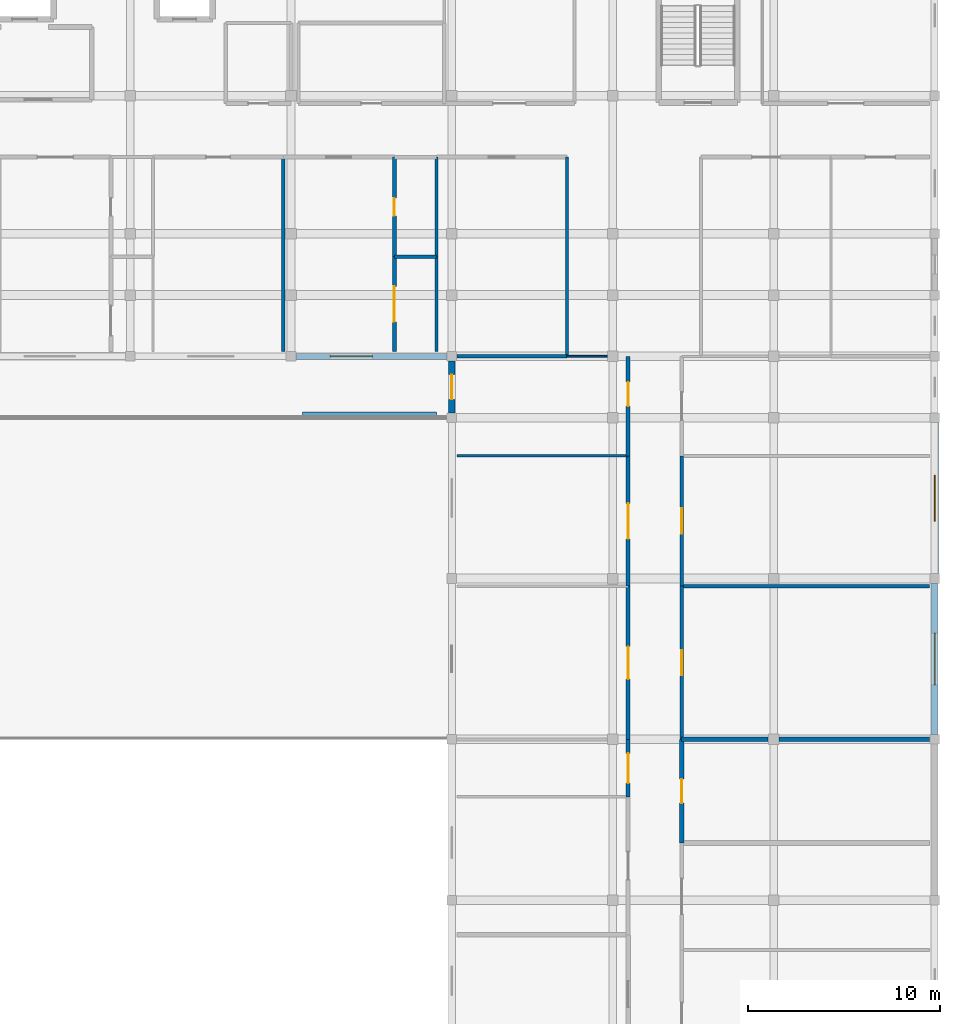
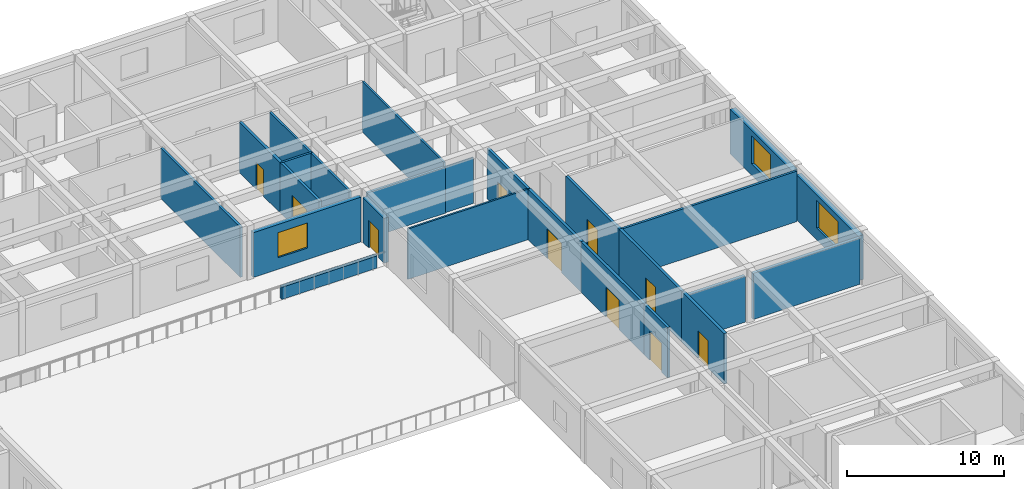
# One storey, part 18 of 28: 25 walls, 10 doors, 3 windows, 13 openings.
"""IFC4 building model written with IfcOpenShell, lengths in metres."""

from ifc_helpers import new_model, si_unit, direction, frame, frame_2d, origin, place, context, subcontext, project, spatial, rectangle, extrude, material, layer, layer_set, type_object, element, fill, save


model = new_model("IFC4")

# Units and contexts
model_context = context("Model", 3, precision=1e-05, world=origin(), true_north=direction((0.0, 1.0)))
body_context = subcontext(model_context, "Body", "Model", "MODEL_VIEW")
ifc_project = project(units=[si_unit("LENGTHUNIT", "METRE"), si_unit("AREAUNIT", "SQUARE_METRE"), si_unit("VOLUMEUNIT", "CUBIC_METRE"), si_unit("PLANEANGLEUNIT", "RADIAN"), si_unit("MASSUNIT", "GRAM", prefix="KILO")], contexts=[model_context])

# Site, building, storey
site_placement = place(None, origin())
site = spatial("IfcSite", under=ifc_project, at=site_placement, CompositionType="ELEMENT")
building_placement = place(site_placement, origin())
building = spatial("IfcBuilding", under=site, at=building_placement, Name="Varncliffe General Hospital", CompositionType="ELEMENT")
storey_placement = place(building_placement, frame((0.0, 0.0, 24.60009765625)))
storey = spatial("IfcBuildingStorey", under=building, at=storey_placement, Name="L05", CompositionType="ELEMENT", Elevation=24.60009765625)

# Wall, opening, window
ifc_material_1 = material(Name="Precast concrete C40/50 with insulated cream lime-cement stucco", Category="concrete")
ifc_layer_1 = layer(ifc_material_1, 0.31005859375)
ifc_layer_set_1 = layer_set([ifc_layer_1], Name="Precast concrete C40/50 with insulated cream lime-cement stucco")
wall_type_1 = type_object("IfcWallType", Name="Exterior Insulated Stucco Wall EW20 (310mm)", PredefinedType="SOLIDWALL", material=ifc_layer_set_1)
wall_1_placement = place(storey_placement, frame((150.951904296875, 102.800048828125, 0.0), z_axis=(0.0, 0.0, 1.0), x_axis=(-1.0, 0.0, 0.0)))
wall_1 = element("IfcWall", 1, at=wall_1_placement, inside=storey, type_object=wall_type_1, Name="L05 Exterior Stucco Wall EW20-392", PredefinedType="SOLIDWALL", context=body_context, shape_type="SweptSolid", body=[
    extrude(rectangle(XDim=7.90380859375, YDim=0.31005859375, at=frame_2d((3.951904296875, 0.0))), origin(), (0.0, 0.0, 1.0), 3.47998046875),
])
opening_1_placement = place(wall_1_placement, frame((3.908935546875, 0.0, 0.89990234375)))
opening_1 = element("IfcOpeningElement", 2, at=opening_1_placement, cuts=wall_1, Name="Opening WN35", PredefinedType="OPENING", context=body_context, shape_type="SweptSolid", body=[
    extrude(rectangle(XDim=2.199951171875, YDim=1.949951171875, at=frame_2d((1.10009765625, 0.97509765625))), frame((0.0, 0.1650390625, 0.0), z_axis=(0.0, -1.0, 0.0), x_axis=(1.0, 0.0, 0.0)), (0.0, 0.0, 1.0), 0.330078125),
])
ifc_material_2 = material(Name="Triple low-E argon insulated vision glazing", Category="glass")
window_type_1 = type_object("IfcWindowType", Name="Triple-Glazed Hospital Window WN35 (2200x1950)", PartitioningType="DOUBLE_PANEL_VERTICAL", PredefinedType="WINDOW", material=ifc_material_2)
window_1_placement = place(opening_1_placement, origin())
window_1 = element("IfcWindow", 3, at=window_1_placement, inside=storey, type_object=window_type_1, Name="L05 Hospital Window WN35-294", OverallHeight=1.949951171875, OverallWidth=2.199951171875, PartitioningType="DOUBLE_PANEL_VERTICAL", PredefinedType="WINDOW", context=body_context, shape_type="SweptSolid", body=[
    extrude(rectangle(XDim=2.199951171875, YDim=1.949951171875, at=frame_2d((1.10009765625, 0.97509765625))), frame((0.0, 0.030029296875, 0.0), z_axis=(0.0, -1.0, 0.0), x_axis=(1.0, 0.0, 0.0)), (0.0, 0.0, 1.0), 0.06005859375),
])
fill(opening_1, window_1)

ifc_layer_2 = layer(ifc_material_1, 0.3798828125)
ifc_layer_set_2 = layer_set([ifc_layer_2], Name="Precast concrete C40/50 with insulated cream lime-cement stucco")
wall_type_2 = type_object("IfcWallType", Name="Exterior Insulated Stucco Wall EW26 (380mm)", PredefinedType="SOLIDWALL", material=ifc_layer_set_2)
wall_2_placement = place(storey_placement, frame((176.39990234375, 90.951904296875, 0.0), z_axis=(0.0, 0.0, 1.0), x_axis=(0.0, -1.0, 0.0)))
wall_2 = element("IfcWall", 4, at=wall_2_placement, inside=storey, type_object=wall_type_2, Name="L05 Exterior Stucco Wall EW26-453", PredefinedType="SOLIDWALL", context=body_context, shape_type="SweptSolid", body=[
    extrude(rectangle(XDim=7.90380859375, YDim=0.3798828125, at=frame_2d((3.951904296875, 0.0))), origin(), (0.0, 0.0, 1.0), 3.47998046875),
])
opening_2_placement = place(wall_2_placement, frame((2.60205078125, 0.0, 0.89990234375)))
opening_2 = element("IfcOpeningElement", 5, at=opening_2_placement, cuts=wall_2, Name="Opening WN58", PredefinedType="OPENING", context=body_context, shape_type="SweptSolid", body=[
    extrude(rectangle(XDim=2.699951171875, YDim=2.14990234375, at=frame_2d((1.35009765625, 1.074951171875))), frame((0.0, 0.199951171875, 0.0), z_axis=(0.0, -1.0, 0.0), x_axis=(1.0, 0.0, 0.0)), (0.0, 0.0, 1.0), 0.39990234375),
])
window_type_2 = type_object("IfcWindowType", Name="Triple-Glazed Hospital Window WN58 (2700x2150)", PartitioningType="DOUBLE_PANEL_VERTICAL", PredefinedType="WINDOW", material=ifc_material_2)
window_2_placement = place(opening_2_placement, origin())
window_2 = element("IfcWindow", 6, at=window_2_placement, inside=storey, type_object=window_type_2, Name="L05 Hospital Window WN58-347", OverallHeight=2.14990234375, OverallWidth=2.699951171875, PartitioningType="DOUBLE_PANEL_VERTICAL", PredefinedType="WINDOW", context=body_context, shape_type="SweptSolid", body=[
    extrude(rectangle(XDim=2.699951171875, YDim=2.14990234375, at=frame_2d((1.35009765625, 1.074951171875))), frame((0.0, 0.030029296875, 0.0), z_axis=(0.0, -1.0, 0.0), x_axis=(1.0, 0.0, 0.0)), (0.0, 0.0, 1.0), 0.06005859375),
])
fill(opening_2, window_2)

# Wall, opening, door
ifc_layer_3 = layer(ifc_material_1, 0.330078125)
ifc_layer_set_3 = layer_set([ifc_layer_3], Name="Precast concrete C40/50 with insulated cream lime-cement stucco")
wall_type_3 = type_object("IfcWallType", Name="Exterior Insulated Stucco Wall EW33 (330mm)", PredefinedType="SOLIDWALL", material=ifc_layer_set_3)
wall_3_placement = place(storey_placement, frame((151.199951171875, 99.847900390625, 0.0), z_axis=(0.0, 0.0, 1.0), x_axis=(0.0, 1.0, 0.0)))
wall_3 = element("IfcWall", 7, at=wall_3_placement, inside=storey, type_object=wall_type_3, Name="L05 Exterior Stucco Wall EW33-391", PredefinedType="SOLIDWALL", context=body_context, shape_type="SweptSolid", body=[
    extrude(rectangle(XDim=2.7041015625, YDim=0.330078125, at=frame_2d((1.35205078125, 0.0))), origin(), (0.0, 0.0, 1.0), 3.47998046875),
])
opening_3_placement = place(wall_3_placement, frame((0.701904296875, 0.0, 0.0)))
opening_3 = element("IfcOpeningElement", 8, at=opening_3_placement, cuts=wall_3, Name="Opening DE35", PredefinedType="OPENING", context=body_context, shape_type="SweptSolid", body=[
    extrude(rectangle(XDim=1.300048828125, YDim=2.14990234375, at=frame_2d((0.64990234375, 1.074951171875))), frame((0.0, 0.175048828125, 0.0), z_axis=(0.0, -1.0, 0.0), x_axis=(1.0, 0.0, 0.0)), (0.0, 0.0, 1.0), 0.35009765625),
])
ifc_material_3 = material(Name="Thermally broken bronze-anodized aluminium and safety glass door", Category="aluminium")
door_type_1 = type_object("IfcDoorType", Name="Exterior Pedestrian Door DE35 (1300x2150)", OperationType="NOTDEFINED", PredefinedType="DOOR", material=ifc_material_3)
door_1_placement = place(opening_3_placement, origin())
door_1 = element("IfcDoor", 9, at=door_1_placement, inside=storey, type_object=door_type_1, Name="L05 Healing Terrace Access Door 38", OperationType="SINGLE_SWING_LEFT", OverallHeight=2.14990234375, OverallWidth=1.300048828125, PredefinedType="DOOR", context=body_context, shape_type="SweptSolid", body=[
    extrude(rectangle(XDim=1.300048828125, YDim=2.14990234375, at=frame_2d((0.64990234375, 1.074951171875))), frame((0.0, 0.02490234375, 0.0), z_axis=(0.0, -1.0, 0.0), x_axis=(1.0, 0.0, 0.0)), (0.0, 0.0, 1.0), 0.050048828125),
])
fill(opening_3, door_1)

# Wall, opening, window
ifc_layer_4 = layer(ifc_material_1, 0.39990234375)
ifc_layer_set_4 = layer_set([ifc_layer_4], Name="Precast concrete C40/50 with insulated cream lime-cement stucco")
wall_type_4 = type_object("IfcWallType", Name="Exterior Insulated Stucco Wall EW47 (400mm)", PredefinedType="SOLIDWALL", material=ifc_layer_set_4)
wall_4_placement = place(storey_placement, frame((176.39990234375, 99.35205078125, 0.0), z_axis=(0.0, 0.0, 1.0), x_axis=(0.0, -1.0, 0.0)))
wall_4 = element("IfcWall", 10, at=wall_4_placement, inside=storey, type_object=wall_type_4, Name="L05 Exterior Stucco Wall EW47-452", PredefinedType="SOLIDWALL", context=body_context, shape_type="SweptSolid", body=[
    extrude(rectangle(XDim=7.904052734375, YDim=0.39990234375, at=frame_2d((3.9521484375, 0.0))), origin(), (0.0, 0.0, 1.0), 3.47998046875),
])
opening_4_placement = place(wall_4_placement, frame((2.751953125, 0.0, 0.89990234375)))
opening_4 = element("IfcOpeningElement", 11, at=opening_4_placement, cuts=wall_4, Name="Opening WN61", PredefinedType="OPENING", context=body_context, shape_type="SweptSolid", body=[
    extrude(rectangle(XDim=2.39990234375, YDim=2.14990234375, at=frame_2d((1.199951171875, 1.074951171875))), frame((0.0, 0.2099609375, 0.0), z_axis=(0.0, -1.0, 0.0), x_axis=(1.0, 0.0, 0.0)), (0.0, 0.0, 1.0), 0.419921875),
])
window_type_3 = type_object("IfcWindowType", Name="Triple-Glazed Hospital Window WN61 (2400x2150)", PartitioningType="DOUBLE_PANEL_VERTICAL", PredefinedType="WINDOW", material=ifc_material_2)
window_3_placement = place(opening_4_placement, origin())
window_3 = element("IfcWindow", 12, at=window_3_placement, inside=storey, type_object=window_type_3, Name="L05 Hospital Window WN61-346", OverallHeight=2.14990234375, OverallWidth=2.39990234375, PartitioningType="DOUBLE_PANEL_VERTICAL", PredefinedType="WINDOW", context=body_context, shape_type="SweptSolid", body=[
    extrude(rectangle(XDim=2.39990234375, YDim=2.14990234375, at=frame_2d((1.199951171875, 1.074951171875))), frame((0.0, 0.030029296875, 0.0), z_axis=(0.0, -1.0, 0.0), x_axis=(1.0, 0.0, 0.0)), (0.0, 0.0, 1.0), 0.06005859375),
])
fill(opening_4, window_3)

# Walls
ifc_material_4 = material(Name="Acoustic clinical gypsum stud partition assembly", Category="gypsum")
ifc_layer_5 = layer(ifc_material_4, 0.1298828125)
ifc_layer_set_5 = layer_set([ifc_layer_5], Name="Acoustic clinical gypsum stud partition assembly")
wall_type_5 = type_object("IfcWallType", Name="Interior Partitioning IW11 (130mm)", PredefinedType="PARTITIONING", material=ifc_layer_set_5)
wall_5_placement = place(storey_placement, frame((151.4599609375, 97.60009765625, 0.0), z_axis=(0.0, 0.0, 1.0), x_axis=(1.0, 0.0, 0.0)))
element("IfcWall", 13, at=wall_5_placement, inside=storey, type_object=wall_type_5, Name="L05 Interior Partition Wall IW11-2028", PredefinedType="PARTITIONING", context=body_context, shape_type="SweptSolid", body=[
    extrude(rectangle(XDim=8.93994140625, YDim=0.1298828125, at=frame_2d((4.469970703125, 0.0))), origin(), (0.0, 0.0, 1.0), 3.919921875),
])
ifc_layer_6 = layer(ifc_material_4, 0.169921875)
ifc_layer_set_6 = layer_set([ifc_layer_6], Name="Acoustic clinical gypsum stud partition assembly")
wall_type_6 = type_object("IfcWallType", Name="Interior Partitioning IW20 (170mm)", PredefinedType="PARTITIONING", material=ifc_layer_set_6)
wall_6_placement = place(storey_placement, frame((163.199951171875, 90.800048828125, 0.0), z_axis=(0.0, 0.0, 1.0), x_axis=(1.0, 0.0, 0.0)))
element("IfcWall", 14, at=wall_6_placement, inside=storey, type_object=wall_type_6, Name="L05 Interior Partition Wall IW20-2025", PredefinedType="PARTITIONING", context=body_context, shape_type="SweptSolid", body=[
    extrude(rectangle(XDim=12.93994140625, YDim=0.169921875, at=frame_2d((6.469970703125, 0.0))), origin(), (0.0, 0.0, 1.0), 3.919921875),
])
wall_7_placement = place(storey_placement, frame((151.465087890625, 102.800048828125, 0.0), z_axis=(0.0, 0.0, 1.0), x_axis=(1.0, 0.0, 0.0)))
element("IfcWall", 15, at=wall_7_placement, inside=storey, type_object=wall_type_6, Name="L05 Interior Partition Wall IW20-2035", PredefinedType="PARTITIONING", context=body_context, shape_type="SweptSolid", body=[
    extrude(rectangle(XDim=5.73486328125, YDim=0.169921875, at=frame_2d((2.867431640625, 0.0))), origin(), (0.0, 0.0, 1.0), 3.5849609375),
])
wall_8_placement = place(storey_placement, frame((142.39990234375, 103.06005859375, 0.0), z_axis=(0.0, 0.0, 1.0), x_axis=(0.0, 1.0, 0.0)))
element("IfcWall", 16, at=wall_8_placement, inside=storey, type_object=wall_type_6, Name="L05 Interior Partition Wall IW20-2155", PredefinedType="PARTITIONING", context=body_context, shape_type="SweptSolid", body=[
    extrude(rectangle(XDim=10.139892578125, YDim=0.169921875, at=frame_2d((5.06982421875, 0.0))), origin(), (0.0, 0.0, 1.0), 3.919921875),
])
wall_9_placement = place(storey_placement, frame((150.39990234375, 103.06005859375, 0.0), z_axis=(0.0, 0.0, 1.0), x_axis=(0.0, 1.0, 0.0)))
element("IfcWall", 17, at=wall_9_placement, inside=storey, type_object=wall_type_6, Name="L05 Interior Partition Wall IW20-2160", PredefinedType="PARTITIONING", context=body_context, shape_type="SweptSolid", body=[
    extrude(rectangle(XDim=4.93994140625, YDim=0.169921875, at=frame_2d((2.469970703125, 0.0))), origin(), (0.0, 0.0, 1.0), 3.919921875),
])
ifc_layer_7 = layer(ifc_material_4, 0.14990234375)
ifc_layer_set_7 = layer_set([ifc_layer_7], Name="Acoustic clinical gypsum stud partition assembly")
wall_type_7 = type_object("IfcWallType", Name="Interior Partitioning IW35 (150mm)", PredefinedType="PARTITIONING", material=ifc_layer_set_7)
wall_10_placement = place(storey_placement, frame((157.199951171875, 102.800048828125, 0.0), z_axis=(0.0, 0.0, 1.0), x_axis=(0.0, 1.0, 0.0)))
element("IfcWall", 18, at=wall_10_placement, inside=storey, type_object=wall_type_7, Name="L05 Interior Partition Wall IW35-2164", PredefinedType="PARTITIONING", context=body_context, shape_type="SweptSolid", body=[
    extrude(rectangle(XDim=10.39990234375, YDim=0.14990234375, at=frame_2d((5.199951171875, 0.0))), origin(), (0.0, 0.0, 1.0), 3.919921875),
])
ifc_layer_8 = layer(ifc_material_4, 0.090087890625)
ifc_layer_set_8 = layer_set([ifc_layer_8], Name="Acoustic clinical gypsum stud partition assembly")
wall_type_8 = type_object("IfcWallType", Name="Interior Partitioning IW42 (90mm)", PredefinedType="PARTITIONING", material=ifc_layer_set_8)
wall_11_placement = place(storey_placement, frame((157.199951171875, 102.800048828125, 0.0), z_axis=(0.0, 0.0, 1.0), x_axis=(1.0, 0.0, 0.0)))
element("IfcWall", 19, at=wall_11_placement, inside=storey, type_object=wall_type_8, Name="L05 Interior Partition Wall IW42-2036", PredefinedType="PARTITIONING", context=body_context, shape_type="SweptSolid", body=[
    extrude(rectangle(XDim=2.110107421875, YDim=0.090087890625, at=frame_2d((1.05517578125, 0.0))), origin(), (0.0, 0.0, 1.0), 3.5849609375),
])
ifc_material_5 = material(Name="Fire-rated gypsum and mineral-wool partition assembly", Category="gypsum")
ifc_layer_9 = layer(ifc_material_5, 0.22998046875)
ifc_layer_set_9 = layer_set([ifc_layer_9], Name="Fire-rated gypsum and mineral-wool partition assembly")
wall_type_9 = type_object("IfcWallType", Name="Interior Partitioning PW48 (230mm)", PredefinedType="PARTITIONING", material=ifc_layer_set_9)
wall_12_placement = place(storey_placement, frame((168.2900390625, 82.800048828125, 0.0), z_axis=(0.0, 0.0, 1.0), x_axis=(1.0, 0.0, 0.0)))
element("IfcWall", 20, at=wall_12_placement, inside=storey, type_object=wall_type_9, Name="L05 Interior Partition Wall PW48-2020", PredefinedType="PARTITIONING", context=body_context, shape_type="SweptSolid", body=[
    extrude(rectangle(XDim=7.844970703125, YDim=0.22998046875, at=frame_2d((3.92236328125, 0.0))), origin(), (0.0, 0.0, 1.0), 3.5849609375),
])
wall_13_placement = place(storey_placement, frame((163.199951171875, 82.800048828125, 0.0), z_axis=(0.0, 0.0, 1.0), x_axis=(1.0, 0.0, 0.0)))
element("IfcWall", 21, at=wall_13_placement, inside=storey, type_object=wall_type_9, Name="L05 Interior Partition Wall PW48-2021", PredefinedType="PARTITIONING", context=body_context, shape_type="SweptSolid", body=[
    extrude(rectangle(XDim=4.510009765625, YDim=0.22998046875, at=frame_2d((2.2548828125, 0.0))), origin(), (0.0, 0.0, 1.0), 3.5849609375),
])

# Wall, opening, door
wall_14_placement = place(storey_placement, frame((163.199951171875, 77.39990234375, 0.0), z_axis=(0.0, 0.0, 1.0), x_axis=(0.0, 1.0, 0.0)))
wall_14 = element("IfcWall", 22, at=wall_14_placement, inside=storey, type_object=wall_type_9, Name="L05 Interior Partition Wall PW48-2186", PredefinedType="PARTITIONING", context=body_context, shape_type="SweptSolid", body=[
    extrude(rectangle(XDim=5.400146484375, YDim=0.22998046875, at=frame_2d((2.7001953125, 0.0))), origin(), (0.0, 0.0, 1.0), 3.919921875),
])
opening_5_placement = place(wall_14_placement, frame((2.074951171875, 0.0, 0.0)))
opening_5 = element("IfcOpeningElement", 23, at=opening_5_placement, cuts=wall_14, Name="Opening DC44", PredefinedType="OPENING", context=body_context, shape_type="SweptSolid", body=[
    extrude(rectangle(XDim=1.25, YDim=2.14990234375, at=frame_2d((0.625, 1.074951171875))), frame((0.0, 0.125, 0.0), z_axis=(0.0, -1.0, 0.0), x_axis=(1.0, 0.0, 0.0)), (0.0, 0.0, 1.0), 0.25),
])
ifc_material_6 = material(Name="Fire-rated hospital steel-frame vision-panel door", Category="steel")
door_type_2 = type_object("IfcDoorType", Name="Interior Hospital Door DC44 (1250x2150)", OperationType="NOTDEFINED", PredefinedType="DOOR", material=ifc_material_6)
door_2_placement = place(opening_5_placement, frame((1.25, 0.0, 0.0), z_axis=(0.0, 0.0, 1.0), x_axis=(-1.0, 0.0, 0.0)))
door_2 = element("IfcDoor", 24, at=door_2_placement, inside=storey, type_object=door_type_2, Name="L05 Clinic Clean Supply Store 44 Door", OperationType="SINGLE_SWING_LEFT", OverallHeight=2.14990234375, OverallWidth=1.25, PredefinedType="DOOR", context=body_context, shape_type="SweptSolid", body=[
    extrude(rectangle(XDim=1.25, YDim=2.14990234375, at=frame_2d((0.625, 1.074951171875))), frame((0.0, 0.02490234375, 0.0), z_axis=(0.0, -1.0, 0.0), x_axis=(1.0, 0.0, 0.0)), (0.0, 0.0, 1.0), 0.050048828125),
])
fill(opening_5, door_2)

ifc_layer_10 = layer(ifc_material_5, 0.199951171875)
ifc_layer_set_10 = layer_set([ifc_layer_10], Name="Fire-rated gypsum and mineral-wool partition assembly")
wall_type_10 = type_object("IfcWallType", Name="Interior Partitioning PW63 (200mm)", PredefinedType="PARTITIONING", material=ifc_layer_set_10)
wall_15_placement = place(storey_placement, frame((148.199951171875, 103.06005859375, 0.0), z_axis=(0.0, 0.0, 1.0), x_axis=(0.0, 1.0, 0.0)))
wall_15 = element("IfcWall", 25, at=wall_15_placement, inside=storey, type_object=wall_type_10, Name="L05 Interior Partition Wall PW63-2158", PredefinedType="PARTITIONING", context=body_context, shape_type="SweptSolid", body=[
    extrude(rectangle(XDim=4.93994140625, YDim=0.199951171875, at=frame_2d((2.469970703125, 0.0))), origin(), (0.0, 0.0, 1.0), 3.919921875),
])
opening_6_placement = place(wall_15_placement, frame((1.544921875, 0.0, 0.0)))
opening_6 = element("IfcOpeningElement", 26, at=opening_6_placement, cuts=wall_15, Name="Opening DC38", PredefinedType="OPENING", context=body_context, shape_type="SweptSolid", body=[
    extrude(rectangle(XDim=1.85009765625, YDim=2.300048828125, at=frame_2d((0.925048828125, 1.14990234375))), frame((0.0, 0.10986328125, 0.0), z_axis=(0.0, -1.0, 0.0), x_axis=(1.0, 0.0, 0.0)), (0.0, 0.0, 1.0), 0.219970703125),
])
door_type_3 = type_object("IfcDoorType", Name="Interior Hospital Door DC38 (1850x2300)", OperationType="NOTDEFINED", PredefinedType="DOOR", material=ifc_material_6)
door_3_placement = place(opening_6_placement, frame((1.85009765625, 0.0, 0.0), z_axis=(0.0, 0.0, 1.0), x_axis=(-1.0, 0.0, 0.0)))
door_3 = element("IfcDoor", 27, at=door_3_placement, inside=storey, type_object=door_type_3, Name="L05 Patient Medication and Hygiene Bay 70 Door", OperationType="SINGLE_SWING_LEFT", OverallHeight=2.300048828125, OverallWidth=1.85009765625, PredefinedType="DOOR", context=body_context, shape_type="SweptSolid", body=[
    extrude(rectangle(XDim=1.85009765625, YDim=2.300048828125, at=frame_2d((0.925048828125, 1.14990234375))), frame((0.0, 0.02490234375, 0.0), z_axis=(0.0, -1.0, 0.0), x_axis=(1.0, 0.0, 0.0)), (0.0, 0.0, 1.0), 0.050048828125),
])
fill(opening_6, door_3)

wall_16_placement = place(storey_placement, frame((148.199951171875, 108.0, 0.0), z_axis=(0.0, 0.0, 1.0), x_axis=(0.0, 1.0, 0.0)))
wall_16 = element("IfcWall", 28, at=wall_16_placement, inside=storey, type_object=wall_type_10, Name="L05 Interior Partition Wall PW63-2159", PredefinedType="PARTITIONING", context=body_context, shape_type="SweptSolid", body=[
    extrude(rectangle(XDim=5.199951171875, YDim=0.199951171875, at=frame_2d((2.60009765625, 0.0))), origin(), (0.0, 0.0, 1.0), 3.919921875),
])
opening_7_placement = place(wall_16_placement, frame((2.139892578125, 0.0, 0.0)))
opening_7 = element("IfcOpeningElement", 29, at=opening_7_placement, cuts=wall_16, Name="Opening DI70", PredefinedType="OPENING", context=body_context, shape_type="SweptSolid", body=[
    extrude(rectangle(XDim=0.919921875, YDim=2.10009765625, at=frame_2d((0.4599609375, 1.050048828125))), frame((0.0, 0.10986328125, 0.0), z_axis=(0.0, -1.0, 0.0), x_axis=(1.0, 0.0, 0.0)), (0.0, 0.0, 1.0), 0.219970703125),
])
ifc_material_7 = material(Name="Solid-core antimicrobial hospital oak veneer door", Category="wood")
door_type_4 = type_object("IfcDoorType", Name="Interior Hospital Door DI70 (920x2100)", OperationType="NOTDEFINED", PredefinedType="DOOR", material=ifc_material_7)
door_4_placement = place(opening_7_placement, frame((0.919921875, 0.0, 0.0), z_axis=(0.0, 0.0, 1.0), x_axis=(-1.0, 0.0, 0.0)))
door_4 = element("IfcDoor", 30, at=door_4_placement, inside=storey, type_object=door_type_4, Name="L05 En-Suite Bathroom 69 Door", OperationType="SINGLE_SWING_RIGHT", OverallHeight=2.10009765625, OverallWidth=0.919921875, PredefinedType="DOOR", context=body_context, shape_type="SweptSolid", body=[
    extrude(rectangle(XDim=0.919921875, YDim=2.10009765625, at=frame_2d((0.4599609375, 1.050048828125))), frame((0.0, 0.02490234375, 0.0), z_axis=(0.0, -1.0, 0.0), x_axis=(1.0, 0.0, 0.0)), (0.0, 0.0, 1.0), 0.050048828125),
])
fill(opening_7, door_4)

wall_17_placement = place(storey_placement, frame((160.39990234375, 79.800048828125, 0.0), z_axis=(0.0, 0.0, 1.0), x_axis=(0.0, 1.0, 0.0)))
wall_17 = element("IfcWall", 31, at=wall_17_placement, inside=storey, type_object=wall_type_10, Name="L05 Interior Partition Wall PW63-2176", PredefinedType="PARTITIONING", context=body_context, shape_type="SweptSolid", body=[
    extrude(rectangle(XDim=3.0, YDim=0.199951171875, at=frame_2d((1.5, 0.0))), origin(), (0.0, 0.0, 1.0), 3.919921875),
])
opening_8_placement = place(wall_17_placement, frame((0.72509765625, 0.0, 0.0)))
opening_8 = element("IfcOpeningElement", 32, at=opening_8_placement, cuts=wall_17, Name="Opening DC67", PredefinedType="OPENING", context=body_context, shape_type="SweptSolid", body=[
    extrude(rectangle(XDim=1.550048828125, YDim=2.25, at=frame_2d((0.77490234375, 1.125))), frame((0.0, 0.10986328125, 0.0), z_axis=(0.0, -1.0, 0.0), x_axis=(1.0, 0.0, 0.0)), (0.0, 0.0, 1.0), 0.219970703125),
])
door_type_5 = type_object("IfcDoorType", Name="Interior Hospital Door DC67 (1550x2250)", OperationType="NOTDEFINED", PredefinedType="DOOR", material=ifc_material_6)
door_5_placement = place(opening_8_placement, origin())
door_5 = element("IfcDoor", 33, at=door_5_placement, inside=storey, type_object=door_type_5, Name="L05 Outpatient Genetics and Counselling Suite 37 Door", OperationType="SINGLE_SWING_LEFT", OverallHeight=2.25, OverallWidth=1.550048828125, PredefinedType="DOOR", context=body_context, shape_type="SweptSolid", body=[
    extrude(rectangle(XDim=1.550048828125, YDim=2.25, at=frame_2d((0.77490234375, 1.125))), frame((0.0, 0.02490234375, 0.0), z_axis=(0.0, -1.0, 0.0), x_axis=(1.0, 0.0, 0.0)), (0.0, 0.0, 1.0), 0.050048828125),
])
fill(opening_8, door_5)

wall_18_placement = place(storey_placement, frame((160.39990234375, 82.800048828125, 0.0), z_axis=(0.0, 0.0, 1.0), x_axis=(0.0, 1.0, 0.0)))
wall_18 = element("IfcWall", 34, at=wall_18_placement, inside=storey, type_object=wall_type_10, Name="L05 Interior Partition Wall PW63-2177", PredefinedType="PARTITIONING", context=body_context, shape_type="SweptSolid", body=[
    extrude(rectangle(XDim=8.0, YDim=0.199951171875, at=frame_2d((4.0, 0.0))), origin(), (0.0, 0.0, 1.0), 3.919921875),
])
opening_9_placement = place(wall_18_placement, frame((3.14990234375, 0.0, 0.0)))
opening_9 = element("IfcOpeningElement", 35, at=opening_9_placement, cuts=wall_18, Name="Opening DC50", PredefinedType="OPENING", context=body_context, shape_type="SweptSolid", body=[
    extrude(rectangle(XDim=1.699951171875, YDim=2.300048828125, at=frame_2d((0.85009765625, 1.14990234375))), frame((0.0, 0.10986328125, 0.0), z_axis=(0.0, -1.0, 0.0), x_axis=(1.0, 0.0, 0.0)), (0.0, 0.0, 1.0), 0.219970703125),
])
door_type_6 = type_object("IfcDoorType", Name="Interior Hospital Door DC50 (1700x2300)", OperationType="NOTDEFINED", PredefinedType="DOOR", material=ifc_material_6)
door_6_placement = place(opening_9_placement, origin())
door_6 = element("IfcDoor", 36, at=door_6_placement, inside=storey, type_object=door_type_6, Name="L05 Maternity Birthing and Postpartum Suite 91 Door", OperationType="SINGLE_SWING_RIGHT", OverallHeight=2.300048828125, OverallWidth=1.699951171875, PredefinedType="DOOR", context=body_context, shape_type="SweptSolid", body=[
    extrude(rectangle(XDim=1.699951171875, YDim=2.300048828125, at=frame_2d((0.85009765625, 1.14990234375))), frame((0.0, 0.02490234375, 0.0), z_axis=(0.0, -1.0, 0.0), x_axis=(1.0, 0.0, 0.0)), (0.0, 0.0, 1.0), 0.050048828125),
])
fill(opening_9, door_6)

wall_19_placement = place(storey_placement, frame((160.39990234375, 90.800048828125, 0.0), z_axis=(0.0, 0.0, 1.0), x_axis=(0.0, 1.0, 0.0)))
wall_19 = element("IfcWall", 37, at=wall_19_placement, inside=storey, type_object=wall_type_10, Name="L05 Interior Partition Wall PW63-2178", PredefinedType="PARTITIONING", context=body_context, shape_type="SweptSolid", body=[
    extrude(rectangle(XDim=6.800048828125, YDim=0.199951171875, at=frame_2d((3.39990234375, 0.0))), origin(), (0.0, 0.0, 1.0), 3.919921875),
])
opening_10_placement = place(wall_19_placement, frame((2.47509765625, 0.0, 0.0)))
opening_10 = element("IfcOpeningElement", 38, at=opening_10_placement, cuts=wall_19, Name="Opening DC38", PredefinedType="OPENING", context=body_context, shape_type="SweptSolid", body=[
    extrude(rectangle(XDim=1.85009765625, YDim=2.300048828125, at=frame_2d((0.925048828125, 1.14990234375))), frame((0.0, 0.10986328125, 0.0), z_axis=(0.0, -1.0, 0.0), x_axis=(1.0, 0.0, 0.0)), (0.0, 0.0, 1.0), 0.219970703125),
])
door_7_placement = place(opening_10_placement, origin())
door_7 = element("IfcDoor", 39, at=door_7_placement, inside=storey, type_object=door_type_3, Name="L05 Family Waiting Lounge and Terrace Vestibule 92 Door", OperationType="SINGLE_SWING_LEFT", OverallHeight=2.300048828125, OverallWidth=1.85009765625, PredefinedType="DOOR", context=body_context, shape_type="SweptSolid", body=[
    extrude(rectangle(XDim=1.85009765625, YDim=2.300048828125, at=frame_2d((0.925048828125, 1.14990234375))), frame((0.0, 0.02490234375, 0.0), z_axis=(0.0, -1.0, 0.0), x_axis=(1.0, 0.0, 0.0)), (0.0, 0.0, 1.0), 0.050048828125),
])
fill(opening_10, door_7)

wall_20_placement = place(storey_placement, frame((160.39990234375, 97.60009765625, 0.0), z_axis=(0.0, 0.0, 1.0), x_axis=(0.0, 1.0, 0.0)))
wall_20 = element("IfcWall", 40, at=wall_20_placement, inside=storey, type_object=wall_type_10, Name="L05 Interior Partition Wall PW63-2179", PredefinedType="PARTITIONING", context=body_context, shape_type="SweptSolid", body=[
    extrude(rectangle(XDim=5.199951171875, YDim=0.199951171875, at=frame_2d((2.60009765625, 0.0))), origin(), (0.0, 0.0, 1.0), 3.919921875),
])
opening_11_placement = place(wall_20_placement, frame((2.599609375, 0.0, 0.0)))
opening_11 = element("IfcOpeningElement", 41, at=opening_11_placement, cuts=wall_20, Name="Opening DC44", PredefinedType="OPENING", context=body_context, shape_type="SweptSolid", body=[
    extrude(rectangle(XDim=1.25, YDim=2.14990234375, at=frame_2d((0.625, 1.074951171875))), frame((0.0, 0.10986328125, 0.0), z_axis=(0.0, -1.0, 0.0), x_axis=(1.0, 0.0, 0.0)), (0.0, 0.0, 1.0), 0.219970703125),
])
door_8_placement = place(opening_11_placement, origin())
door_8 = element("IfcDoor", 42, at=door_8_placement, inside=storey, type_object=door_type_2, Name="L05 Maternity Birthing and Postpartum Suite 93 Door", OperationType="SINGLE_SWING_RIGHT", OverallHeight=2.14990234375, OverallWidth=1.25, PredefinedType="DOOR", context=body_context, shape_type="SweptSolid", body=[
    extrude(rectangle(XDim=1.25, YDim=2.14990234375, at=frame_2d((0.625, 1.074951171875))), frame((0.0, 0.02490234375, 0.0), z_axis=(0.0, -1.0, 0.0), x_axis=(1.0, 0.0, 0.0)), (0.0, 0.0, 1.0), 0.050048828125),
])
fill(opening_11, door_8)

wall_21_placement = place(storey_placement, frame((163.199951171875, 82.800048828125, 0.0), z_axis=(0.0, 0.0, 1.0), x_axis=(0.0, 1.0, 0.0)))
wall_21 = element("IfcWall", 43, at=wall_21_placement, inside=storey, type_object=wall_type_10, Name="L05 Interior Partition Wall PW63-2187", PredefinedType="PARTITIONING", context=body_context, shape_type="SweptSolid", body=[
    extrude(rectangle(XDim=8.0, YDim=0.199951171875, at=frame_2d((4.0, 0.0))), origin(), (0.0, 0.0, 1.0), 3.919921875),
])
opening_12_placement = place(wall_21_placement, frame((3.35009765625, 0.0, 0.0)))
opening_12 = element("IfcOpeningElement", 44, at=opening_12_placement, cuts=wall_21, Name="Opening DC88", PredefinedType="OPENING", context=body_context, shape_type="SweptSolid", body=[
    extrude(rectangle(XDim=1.300048828125, YDim=2.199951171875, at=frame_2d((0.64990234375, 1.10009765625))), frame((0.0, 0.10986328125, 0.0), z_axis=(0.0, -1.0, 0.0), x_axis=(1.0, 0.0, 0.0)), (0.0, 0.0, 1.0), 0.219970703125),
])
door_type_7 = type_object("IfcDoorType", Name="Interior Hospital Door DC88 (1300x2200)", OperationType="NOTDEFINED", PredefinedType="DOOR", material=ifc_material_6)
door_9_placement = place(opening_12_placement, frame((1.300048828125, 0.0, 0.0), z_axis=(0.0, 0.0, 1.0), x_axis=(-1.0, 0.0, 0.0)))
door_9 = element("IfcDoor", 45, at=door_9_placement, inside=storey, type_object=door_type_7, Name="L05 Maternity Birthing and Postpartum Suite 94 Door", OperationType="SINGLE_SWING_RIGHT", OverallHeight=2.199951171875, OverallWidth=1.300048828125, PredefinedType="DOOR", context=body_context, shape_type="SweptSolid", body=[
    extrude(rectangle(XDim=1.300048828125, YDim=2.199951171875, at=frame_2d((0.64990234375, 1.10009765625))), frame((0.0, 0.02490234375, 0.0), z_axis=(0.0, -1.0, 0.0), x_axis=(1.0, 0.0, 0.0)), (0.0, 0.0, 1.0), 0.050048828125),
])
fill(opening_12, door_9)

wall_22_placement = place(storey_placement, frame((163.199951171875, 90.800048828125, 0.0), z_axis=(0.0, 0.0, 1.0), x_axis=(0.0, 1.0, 0.0)))
wall_22 = element("IfcWall", 46, at=wall_22_placement, inside=storey, type_object=wall_type_10, Name="L05 Interior Partition Wall PW63-2188", PredefinedType="PARTITIONING", context=body_context, shape_type="SweptSolid", body=[
    extrude(rectangle(XDim=6.800048828125, YDim=0.199951171875, at=frame_2d((3.39990234375, 0.0))), origin(), (0.0, 0.0, 1.0), 3.919921875),
])
opening_13_placement = place(wall_22_placement, frame((2.72509765625, 0.0, 0.0)))
opening_13 = element("IfcOpeningElement", 47, at=opening_13_placement, cuts=wall_22, Name="Opening DC85", PredefinedType="OPENING", context=body_context, shape_type="SweptSolid", body=[
    extrude(rectangle(XDim=1.35009765625, YDim=2.199951171875, at=frame_2d((0.675048828125, 1.10009765625))), frame((0.0, 0.10986328125, 0.0), z_axis=(0.0, -1.0, 0.0), x_axis=(1.0, 0.0, 0.0)), (0.0, 0.0, 1.0), 0.219970703125),
])
door_type_8 = type_object("IfcDoorType", Name="Interior Hospital Door DC85 (1350x2200)", OperationType="NOTDEFINED", PredefinedType="DOOR", material=ifc_material_6)
door_10_placement = place(opening_13_placement, frame((1.35009765625, 0.0, 0.0), z_axis=(0.0, 0.0, 1.0), x_axis=(-1.0, 0.0, 0.0)))
door_10 = element("IfcDoor", 48, at=door_10_placement, inside=storey, type_object=door_type_8, Name="L05 Family Waiting Lounge and Terrace Vestibule 95 Door", OperationType="SINGLE_SWING_LEFT", OverallHeight=2.199951171875, OverallWidth=1.35009765625, PredefinedType="DOOR", context=body_context, shape_type="SweptSolid", body=[
    extrude(rectangle(XDim=1.35009765625, YDim=2.199951171875, at=frame_2d((0.675048828125, 1.10009765625))), frame((0.0, 0.02490234375, 0.0), z_axis=(0.0, -1.0, 0.0), x_axis=(1.0, 0.0, 0.0)), (0.0, 0.0, 1.0), 0.050048828125),
])
fill(opening_13, door_10)

# Walls
ifc_material_8 = material(Name="Moisture-resistant plumbing chase wall assembly", Category="gypsum")
ifc_layer_11 = layer(ifc_material_8, 0.159912109375)
ifc_layer_set_11 = layer_set([ifc_layer_11], Name="Moisture-resistant plumbing chase wall assembly")
wall_type_11 = type_object("IfcWallType", Name="Interior Plumbingwall MW31 (160mm)", PredefinedType="PLUMBINGWALL", material=ifc_layer_set_11)
wall_23_placement = place(storey_placement, frame((148.199951171875, 108.0, 0.0), z_axis=(0.0, 0.0, 1.0), x_axis=(1.0, 0.0, 0.0)))
element("IfcWall", 49, at=wall_23_placement, inside=storey, type_object=wall_type_11, Name="L05 Interior Plumbing Wall MW31-2047", PredefinedType="PLUMBINGWALL", context=body_context, shape_type="SweptSolid", body=[
    extrude(rectangle(XDim=2.199951171875, YDim=0.159912109375, at=frame_2d((1.10009765625, 0.0))), origin(), (0.0, 0.0, 1.0), 3.919921875),
])
wall_24_placement = place(storey_placement, frame((150.39990234375, 108.0, 0.0), z_axis=(0.0, 0.0, 1.0), x_axis=(0.0, 1.0, 0.0)))
element("IfcWall", 50, at=wall_24_placement, inside=storey, type_object=wall_type_11, Name="L05 Interior Plumbing Wall MW31-2161", PredefinedType="PLUMBINGWALL", context=body_context, shape_type="SweptSolid", body=[
    extrude(rectangle(XDim=5.199951171875, YDim=0.159912109375, at=frame_2d((2.60009765625, 0.0))), origin(), (0.0, 0.0, 1.0), 3.919921875),
])
ifc_material_9 = material(Name="Precast concrete C40/50 parapet coping", Category="concrete")
ifc_layer_12 = layer(ifc_material_9, 0.27001953125)
ifc_layer_set_12 = layer_set([ifc_layer_12], Name="Precast concrete C40/50 parapet coping")
wall_type_12 = type_object("IfcWallType", Name="Terrace and Roof Parapet Wall PP48 (270mm)", PredefinedType="PARAPET", material=ifc_layer_set_12)
wall_25_placement = place(storey_placement, frame((143.39990234375, 99.75, 0.0), z_axis=(0.0, 0.0, 1.0), x_axis=(1.0, 0.0, 0.0)))
element("IfcWall", 51, at=wall_25_placement, inside=storey, type_object=wall_type_12, Name="L05 Masonry Parapet Coping Wall 4", PredefinedType="PARAPET", context=body_context, shape_type="SweptSolid", body=[
    extrude(rectangle(XDim=7.0, YDim=0.27001953125, at=frame_2d((3.5, 0.0))), origin(), (0.0, 0.0, 1.0), 0.949951171875),
])

save(model, "model.ifc")
